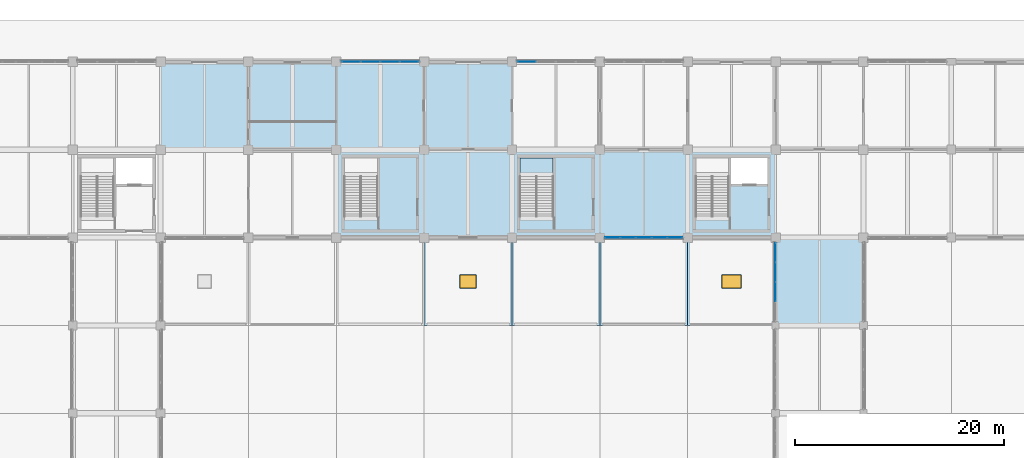
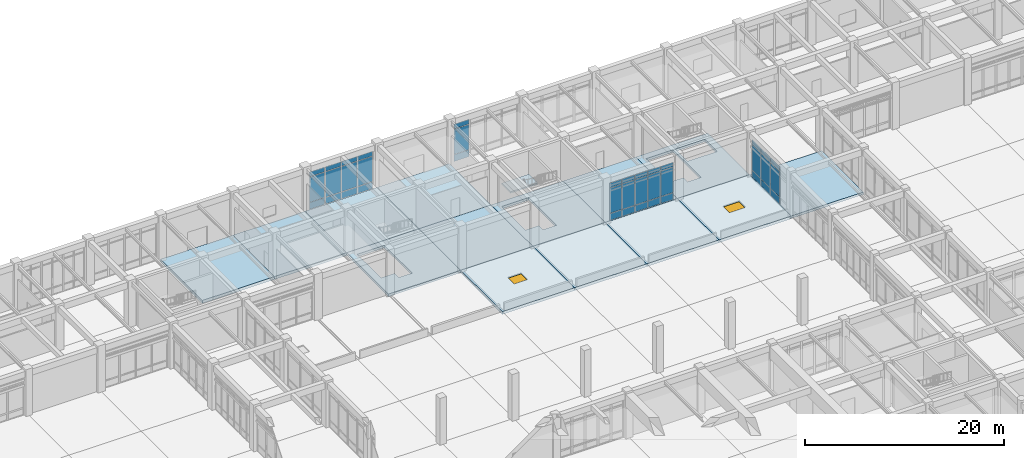
# One storey, part 58 of 91: 39 plates, 15 slabs, 2 windows, 2 openings, 5 elements without a shape of their own.
"""IFC4 building model written with IfcOpenShell, lengths in metres."""

from ifc_helpers import new_model, si_unit, direction, frame, origin, origin_2d, place, context, subcontext, project, spatial, polyline, rectangle, outline, extrude, material, layer, layer_set, type_object, element, fill, aggregate, save


model = new_model("IFC4")

# Units and contexts
model_context = context("Model", 3, precision=1e-05, world=origin(), true_north=direction((0.0, 1.0)))
body_context = subcontext(model_context, "Body", "Model", "MODEL_VIEW")
ifc_project = project(units=[si_unit("LENGTHUNIT", "METRE"), si_unit("AREAUNIT", "SQUARE_METRE"), si_unit("VOLUMEUNIT", "CUBIC_METRE"), si_unit("PLANEANGLEUNIT", "RADIAN"), si_unit("MASSUNIT", "GRAM", prefix="KILO")], contexts=[model_context])

# Site, building, storey
site_placement = place(None, origin())
site = spatial("IfcSite", under=ifc_project, at=site_placement, CompositionType="ELEMENT")
building_placement = place(site_placement, origin())
building = spatial("IfcBuilding", under=site, at=building_placement, Name="Porcellanite Civic Hall", CompositionType="ELEMENT")
storey_placement = place(building_placement, origin())
storey = spatial("IfcBuildingStorey", under=building, at=storey_placement, Name="L00", CompositionType="ELEMENT", Elevation=0.0)

# Curtain wall, plates
ifc_material_1 = material(Name="Anodised aluminium and solar laminated glass", Category="aluminium")
ifc_layer_1 = layer(ifc_material_1, 0.179931640625)
ifc_layer_set_1 = layer_set([ifc_layer_1], Name="Anodised aluminium and solar laminated glass")
curtain_wall_type_1 = type_object("IfcCurtainWallType", Name="CW-SYS03", PredefinedType="NOTDEFINED", material=ifc_layer_set_1)
curtain_wall_1_placement = place(storey_placement, origin())
curtain_wall_1 = element("IfcCurtainWall", 1, at=curtain_wall_1_placement, inside=storey, type_object=curtain_wall_type_1, Name="Curtain wall CW-030", PredefinedType="NOTDEFINED")
ifc_material_2 = material(Name="Cyclone laminated solar-control low-E glass", Category="glass")
ifc_layer_2 = layer(ifc_material_2, 0.02392578125)
ifc_layer_set_2 = layer_set([ifc_layer_2], Name="Cyclone laminated solar-control low-E glass")
plate_type_1 = type_object("IfcPlateType", Name="CWP-01", PredefinedType="CURTAIN_PANEL", material=ifc_layer_set_2)
plate_1_placement = place(storey_placement, frame((77.00830078125, 117.60009765625, 0.05517578125), z_axis=(0.0, 0.0, 1.0), x_axis=(1.0, 0.0, 0.0)))
plate_1 = element("IfcPlate", 2, at=plate_1_placement, type_object=plate_type_1, Name="CW-030 panel 1.1", PredefinedType="CURTAIN_PANEL", context=body_context, shape_type="SweptSolid", body=[
    extrude(rectangle(XDim=1.75439453125, YDim=0.02392578125, at=origin_2d()), origin(), (0.0, 0.0, 1.0), 0.8173828125),
])
plate_2_placement = place(storey_placement, frame((77.00830078125, 117.60009765625, 0.927734375), z_axis=(0.0, 0.0, 1.0), x_axis=(1.0, 0.0, 0.0)))
plate_2 = element("IfcPlate", 3, at=plate_2_placement, type_object=plate_type_1, Name="CW-030 panel 1.2", PredefinedType="CURTAIN_PANEL", context=body_context, shape_type="SweptSolid", body=[
    extrude(rectangle(XDim=1.75439453125, YDim=0.02392578125, at=origin_2d()), origin(), (0.0, 0.0, 1.0), 3.094970703125),
])
plate_3_placement = place(storey_placement, frame((77.00830078125, 117.60009765625, 4.07763671875), z_axis=(0.0, 0.0, 1.0), x_axis=(1.0, 0.0, 0.0)))
plate_3 = element("IfcPlate", 4, at=plate_3_placement, type_object=plate_type_1, Name="CW-030 panel 1.3", PredefinedType="CURTAIN_PANEL", context=body_context, shape_type="SweptSolid", body=[
    extrude(rectangle(XDim=1.75439453125, YDim=0.02392578125, at=origin_2d()), origin(), (0.0, 0.0, 1.0), 0.5673828125),
])
plate_4_placement = place(storey_placement, frame((78.86279296875, 117.60009765625, 0.05517578125), z_axis=(0.0, 0.0, 1.0), x_axis=(1.0, 0.0, 0.0)))
plate_4 = element("IfcPlate", 5, at=plate_4_placement, type_object=plate_type_1, Name="CW-030 panel 2.1", PredefinedType="CURTAIN_PANEL", context=body_context, shape_type="SweptSolid", body=[
    extrude(rectangle(XDim=1.79443359375, YDim=0.02392578125, at=origin_2d()), origin(), (0.0, 0.0, 1.0), 0.8173828125),
])
plate_5_placement = place(storey_placement, frame((78.86279296875, 117.60009765625, 0.927734375), z_axis=(0.0, 0.0, 1.0), x_axis=(1.0, 0.0, 0.0)))
plate_5 = element("IfcPlate", 6, at=plate_5_placement, type_object=plate_type_1, Name="CW-030 panel 2.2", PredefinedType="CURTAIN_PANEL", context=body_context, shape_type="SweptSolid", body=[
    extrude(rectangle(XDim=1.79443359375, YDim=0.02392578125, at=origin_2d()), origin(), (0.0, 0.0, 1.0), 3.094970703125),
])
plate_6_placement = place(storey_placement, frame((78.86279296875, 117.60009765625, 4.07763671875), z_axis=(0.0, 0.0, 1.0), x_axis=(1.0, 0.0, 0.0)))
plate_6 = element("IfcPlate", 7, at=plate_6_placement, type_object=plate_type_1, Name="CW-030 panel 2.3", PredefinedType="CURTAIN_PANEL", context=body_context, shape_type="SweptSolid", body=[
    extrude(rectangle(XDim=1.79443359375, YDim=0.02392578125, at=origin_2d()), origin(), (0.0, 0.0, 1.0), 0.5673828125),
])
plate_7_placement = place(storey_placement, frame((80.7373046875, 117.60009765625, 0.05517578125), z_axis=(0.0, 0.0, 1.0), x_axis=(1.0, 0.0, 0.0)))
plate_7 = element("IfcPlate", 8, at=plate_7_placement, type_object=plate_type_1, Name="CW-030 panel 3.1", PredefinedType="CURTAIN_PANEL", context=body_context, shape_type="SweptSolid", body=[
    extrude(rectangle(XDim=1.79443359375, YDim=0.02392578125, at=origin_2d()), origin(), (0.0, 0.0, 1.0), 0.8173828125),
])
plate_8_placement = place(storey_placement, frame((80.7373046875, 117.60009765625, 0.927734375), z_axis=(0.0, 0.0, 1.0), x_axis=(1.0, 0.0, 0.0)))
plate_8 = element("IfcPlate", 9, at=plate_8_placement, type_object=plate_type_1, Name="CW-030 panel 3.2", PredefinedType="CURTAIN_PANEL", context=body_context, shape_type="SweptSolid", body=[
    extrude(rectangle(XDim=1.79443359375, YDim=0.02392578125, at=origin_2d()), origin(), (0.0, 0.0, 1.0), 3.094970703125),
])
plate_9_placement = place(storey_placement, frame((80.7373046875, 117.60009765625, 4.07763671875), z_axis=(0.0, 0.0, 1.0), x_axis=(1.0, 0.0, 0.0)))
plate_9 = element("IfcPlate", 10, at=plate_9_placement, type_object=plate_type_1, Name="CW-030 panel 3.3", PredefinedType="CURTAIN_PANEL", context=body_context, shape_type="SweptSolid", body=[
    extrude(rectangle(XDim=1.79443359375, YDim=0.02392578125, at=origin_2d()), origin(), (0.0, 0.0, 1.0), 0.5673828125),
])
plate_10_placement = place(storey_placement, frame((82.591796875, 117.60009765625, 0.05517578125), z_axis=(0.0, 0.0, 1.0), x_axis=(1.0, 0.0, 0.0)))
plate_10 = element("IfcPlate", 11, at=plate_10_placement, type_object=plate_type_1, Name="CW-030 panel 4.1", PredefinedType="CURTAIN_PANEL", context=body_context, shape_type="SweptSolid", body=[
    extrude(rectangle(XDim=1.75439453125, YDim=0.02392578125, at=origin_2d()), origin(), (0.0, 0.0, 1.0), 0.8173828125),
])
plate_11_placement = place(storey_placement, frame((82.591796875, 117.60009765625, 0.927734375), z_axis=(0.0, 0.0, 1.0), x_axis=(1.0, 0.0, 0.0)))
plate_11 = element("IfcPlate", 12, at=plate_11_placement, type_object=plate_type_1, Name="CW-030 panel 4.2", PredefinedType="CURTAIN_PANEL", context=body_context, shape_type="SweptSolid", body=[
    extrude(rectangle(XDim=1.75439453125, YDim=0.02392578125, at=origin_2d()), origin(), (0.0, 0.0, 1.0), 3.094970703125),
])
plate_12_placement = place(storey_placement, frame((82.591796875, 117.60009765625, 4.07763671875), z_axis=(0.0, 0.0, 1.0), x_axis=(1.0, 0.0, 0.0)))
plate_12 = element("IfcPlate", 13, at=plate_12_placement, type_object=plate_type_1, Name="CW-030 panel 4.3", PredefinedType="CURTAIN_PANEL", context=body_context, shape_type="SweptSolid", body=[
    extrude(rectangle(XDim=1.75439453125, YDim=0.02392578125, at=origin_2d()), origin(), (0.0, 0.0, 1.0), 0.5673828125),
])
aggregate(curtain_wall_1, [plate_1, plate_2, plate_3, plate_4, plate_5, plate_6, plate_7, plate_8, plate_9, plate_10, plate_11, plate_12])

ifc_material_3 = material(Name="Anodised aluminium and solar laminated glass", Category="aluminium")
ifc_layer_3 = layer(ifc_material_3, 0.179931640625)
ifc_layer_set_3 = layer_set([ifc_layer_3], Name="Anodised aluminium and solar laminated glass")
curtain_wall_type_2 = type_object("IfcCurtainWallType", Name="CW-SYS04", PredefinedType="NOTDEFINED", material=ifc_layer_set_3)
curtain_wall_2_placement = place(storey_placement, origin())
curtain_wall_2 = element("IfcCurtainWall", 14, at=curtain_wall_2_placement, inside=storey, type_object=curtain_wall_type_2, Name="Curtain wall CW-031", PredefinedType="NOTDEFINED")
ifc_material_4 = material(Name="Cyclone laminated solar-control low-E glass", Category="glass")
ifc_layer_4 = layer(ifc_material_4, 0.02587890625)
ifc_layer_set_4 = layer_set([ifc_layer_4], Name="Cyclone laminated solar-control low-E glass")
plate_type_2 = type_object("IfcPlateType", Name="CWP-02", PredefinedType="CURTAIN_PANEL", material=ifc_layer_set_4)
plate_13_placement = place(storey_placement, frame((93.806884765625, 117.60009765625, 0.05517578125), z_axis=(0.0, 0.0, 1.0), x_axis=(1.0, 0.0, 0.0)))
plate_13 = element("IfcPlate", 15, at=plate_13_placement, type_object=plate_type_2, Name="CW-031 panel 1.1", PredefinedType="CURTAIN_PANEL", context=body_context, shape_type="SweptSolid", body=[
    extrude(rectangle(XDim=1.761962890625, YDim=0.02587890625, at=origin_2d()), origin(), (0.0, 0.0, 1.0), 0.8173828125),
])
plate_14_placement = place(storey_placement, frame((93.806884765625, 117.60009765625, 0.927734375), z_axis=(0.0, 0.0, 1.0), x_axis=(1.0, 0.0, 0.0)))
plate_14 = element("IfcPlate", 16, at=plate_14_placement, type_object=plate_type_2, Name="CW-031 panel 1.2", PredefinedType="CURTAIN_PANEL", context=body_context, shape_type="SweptSolid", body=[
    extrude(rectangle(XDim=1.761962890625, YDim=0.02587890625, at=origin_2d()), origin(), (0.0, 0.0, 1.0), 3.094970703125),
])
plate_15_placement = place(storey_placement, frame((93.806884765625, 117.60009765625, 4.07763671875), z_axis=(0.0, 0.0, 1.0), x_axis=(1.0, 0.0, 0.0)))
plate_15 = element("IfcPlate", 17, at=plate_15_placement, type_object=plate_type_2, Name="CW-031 panel 1.3", PredefinedType="CURTAIN_PANEL", context=body_context, shape_type="SweptSolid", body=[
    extrude(rectangle(XDim=1.761962890625, YDim=0.02587890625, at=origin_2d()), origin(), (0.0, 0.0, 1.0), 0.5673828125),
])
aggregate(curtain_wall_2, [plate_13, plate_14, plate_15])

curtain_wall_3_placement = place(storey_placement, origin())
curtain_wall_3 = element("IfcCurtainWall", 18, at=curtain_wall_3_placement, inside=storey, type_object=curtain_wall_type_2, Name="Curtain wall CW-043", PredefinedType="NOTDEFINED")
ifc_material_5 = material(Name="Cyclone laminated solar-control low-E glass", Category="glass")
ifc_layer_5 = layer(ifc_material_5, 0.030029296875)
ifc_layer_set_5 = layer_set([ifc_layer_5], Name="Cyclone laminated solar-control low-E glass")
plate_type_3 = type_object("IfcPlateType", Name="CWP-04", PredefinedType="CURTAIN_PANEL", material=ifc_layer_set_5)
plate_16_placement = place(storey_placement, frame((117.60009765625, 95.600341796875, 0.05517578125), z_axis=(0.0, 0.0, 1.0), x_axis=(0.0, 1.0, 0.0)))
plate_16 = element("IfcPlate", 19, at=plate_16_placement, type_object=plate_type_3, Name="CW-043 panel 2.1", PredefinedType="CURTAIN_PANEL", context=body_context, shape_type="SweptSolid", body=[
    extrude(rectangle(XDim=1.824462890625, YDim=0.030029296875, at=origin_2d()), origin(), (0.0, 0.0, 1.0), 0.8173828125),
])
plate_17_placement = place(storey_placement, frame((117.60009765625, 95.600341796875, 0.927734375), z_axis=(0.0, 0.0, 1.0), x_axis=(0.0, 1.0, 0.0)))
plate_17 = element("IfcPlate", 20, at=plate_17_placement, type_object=plate_type_3, Name="CW-043 panel 2.2", PredefinedType="CURTAIN_PANEL", context=body_context, shape_type="SweptSolid", body=[
    extrude(rectangle(XDim=1.824462890625, YDim=0.030029296875, at=origin_2d()), origin(), (0.0, 0.0, 1.0), 3.094970703125),
])
plate_18_placement = place(storey_placement, frame((117.60009765625, 95.600341796875, 4.07763671875), z_axis=(0.0, 0.0, 1.0), x_axis=(0.0, 1.0, 0.0)))
plate_18 = element("IfcPlate", 21, at=plate_18_placement, type_object=plate_type_3, Name="CW-043 panel 2.3", PredefinedType="CURTAIN_PANEL", context=body_context, shape_type="SweptSolid", body=[
    extrude(rectangle(XDim=1.824462890625, YDim=0.030029296875, at=origin_2d()), origin(), (0.0, 0.0, 1.0), 0.5673828125),
])
plate_19_placement = place(storey_placement, frame((117.60009765625, 97.499755859375, 0.05517578125), z_axis=(0.0, 0.0, 1.0), x_axis=(0.0, 1.0, 0.0)))
plate_19 = element("IfcPlate", 22, at=plate_19_placement, type_object=plate_type_3, Name="CW-043 panel 3.1", PredefinedType="CURTAIN_PANEL", context=body_context, shape_type="SweptSolid", body=[
    extrude(rectangle(XDim=1.824462890625, YDim=0.030029296875, at=origin_2d()), origin(), (0.0, 0.0, 1.0), 0.8173828125),
])
plate_20_placement = place(storey_placement, frame((117.60009765625, 97.499755859375, 0.927734375), z_axis=(0.0, 0.0, 1.0), x_axis=(0.0, 1.0, 0.0)))
plate_20 = element("IfcPlate", 23, at=plate_20_placement, type_object=plate_type_3, Name="CW-043 panel 3.2", PredefinedType="CURTAIN_PANEL", context=body_context, shape_type="SweptSolid", body=[
    extrude(rectangle(XDim=1.824462890625, YDim=0.030029296875, at=origin_2d()), origin(), (0.0, 0.0, 1.0), 3.094970703125),
])
plate_21_placement = place(storey_placement, frame((117.60009765625, 97.499755859375, 4.07763671875), z_axis=(0.0, 0.0, 1.0), x_axis=(0.0, 1.0, 0.0)))
plate_21 = element("IfcPlate", 24, at=plate_21_placement, type_object=plate_type_3, Name="CW-043 panel 3.3", PredefinedType="CURTAIN_PANEL", context=body_context, shape_type="SweptSolid", body=[
    extrude(rectangle(XDim=1.824462890625, YDim=0.030029296875, at=origin_2d()), origin(), (0.0, 0.0, 1.0), 0.5673828125),
])
plate_22_placement = place(storey_placement, frame((117.60009765625, 99.380615234375, 0.05517578125), z_axis=(0.0, 0.0, 1.0), x_axis=(0.0, 1.0, 0.0)))
plate_22 = element("IfcPlate", 25, at=plate_22_placement, type_object=plate_type_3, Name="CW-043 panel 4.1", PredefinedType="CURTAIN_PANEL", context=body_context, shape_type="SweptSolid", body=[
    extrude(rectangle(XDim=1.787109375, YDim=0.030029296875, at=origin_2d()), origin(), (0.0, 0.0, 1.0), 0.8173828125),
])
plate_23_placement = place(storey_placement, frame((117.60009765625, 99.380615234375, 0.927734375), z_axis=(0.0, 0.0, 1.0), x_axis=(0.0, 1.0, 0.0)))
plate_23 = element("IfcPlate", 26, at=plate_23_placement, type_object=plate_type_3, Name="CW-043 panel 4.2", PredefinedType="CURTAIN_PANEL", context=body_context, shape_type="SweptSolid", body=[
    extrude(rectangle(XDim=1.787109375, YDim=0.030029296875, at=origin_2d()), origin(), (0.0, 0.0, 1.0), 3.094970703125),
])
plate_24_placement = place(storey_placement, frame((117.60009765625, 99.380615234375, 4.07763671875), z_axis=(0.0, 0.0, 1.0), x_axis=(0.0, 1.0, 0.0)))
plate_24 = element("IfcPlate", 27, at=plate_24_placement, type_object=plate_type_3, Name="CW-043 panel 4.3", PredefinedType="CURTAIN_PANEL", context=body_context, shape_type="SweptSolid", body=[
    extrude(rectangle(XDim=1.787109375, YDim=0.030029296875, at=origin_2d()), origin(), (0.0, 0.0, 1.0), 0.5673828125),
])
aggregate(curtain_wall_3, [plate_16, plate_17, plate_18, plate_19, plate_20, plate_21, plate_22, plate_23, plate_24])

ifc_material_6 = material(Name="Anodised aluminium and solar laminated glass", Category="aluminium")
ifc_layer_6 = layer(ifc_material_6, 0.179931640625)
ifc_layer_set_6 = layer_set([ifc_layer_6], Name="Anodised aluminium and solar laminated glass")
curtain_wall_type_3 = type_object("IfcCurtainWallType", Name="CW-SYS01", PredefinedType="NOTDEFINED", material=ifc_layer_set_6)
curtain_wall_4_placement = place(storey_placement, origin())
curtain_wall_4 = element("IfcCurtainWall", 28, at=curtain_wall_4_placement, inside=storey, type_object=curtain_wall_type_3, Name="Curtain wall CW-035", PredefinedType="NOTDEFINED")
ifc_material_7 = material(Name="Cyclone laminated solar-control low-E glass", Category="glass")
ifc_layer_7 = layer(ifc_material_7, 0.033935546875)
ifc_layer_set_7 = layer_set([ifc_layer_7], Name="Cyclone laminated solar-control low-E glass")
plate_type_4 = type_object("IfcPlateType", Name="CWP-06", PredefinedType="CURTAIN_PANEL", material=ifc_layer_set_7)
plate_25_placement = place(storey_placement, frame((107.981689453125, 100.800048828125, 0.06005859375), z_axis=(0.0, 0.0, 1.0), x_axis=(-1.0, 0.0, 0.0)))
plate_25 = element("IfcPlate", 29, at=plate_25_placement, type_object=plate_type_4, Name="CW-035 panel 1.1", PredefinedType="CURTAIN_PANEL", context=body_context, shape_type="SweptSolid", body=[
    extrude(rectangle(XDim=1.39453125, YDim=0.033935546875, at=origin_2d()), origin(), (0.0, 0.0, 1.0), 0.81005859375),
])
plate_26_placement = place(storey_placement, frame((107.981689453125, 100.800048828125, 0.93017578125), z_axis=(0.0, 0.0, 1.0), x_axis=(-1.0, 0.0, 0.0)))
plate_26 = element("IfcPlate", 30, at=plate_26_placement, type_object=plate_type_4, Name="CW-035 panel 1.2", PredefinedType="CURTAIN_PANEL", context=body_context, shape_type="SweptSolid", body=[
    extrude(rectangle(XDim=1.39453125, YDim=0.033935546875, at=origin_2d()), origin(), (0.0, 0.0, 1.0), 3.090087890625),
])
plate_27_placement = place(storey_placement, frame((107.981689453125, 100.800048828125, 4.080078125), z_axis=(0.0, 0.0, 1.0), x_axis=(-1.0, 0.0, 0.0)))
plate_27 = element("IfcPlate", 31, at=plate_27_placement, type_object=plate_type_4, Name="CW-035 panel 1.3", PredefinedType="CURTAIN_PANEL", context=body_context, shape_type="SweptSolid", body=[
    extrude(rectangle(XDim=1.39453125, YDim=0.033935546875, at=origin_2d()), origin(), (0.0, 0.0, 1.0), 0.56005859375),
])
plate_28_placement = place(storey_placement, frame((106.49951171875, 100.800048828125, 0.06005859375), z_axis=(0.0, 0.0, 1.0), x_axis=(-1.0, 0.0, 0.0)))
plate_28 = element("IfcPlate", 32, at=plate_28_placement, type_object=plate_type_4, Name="CW-035 panel 2.1", PredefinedType="CURTAIN_PANEL", context=body_context, shape_type="SweptSolid", body=[
    extrude(rectangle(XDim=1.4296875, YDim=0.033935546875, at=origin_2d()), origin(), (0.0, 0.0, 1.0), 0.81005859375),
])
plate_29_placement = place(storey_placement, frame((106.49951171875, 100.800048828125, 0.93017578125), z_axis=(0.0, 0.0, 1.0), x_axis=(-1.0, 0.0, 0.0)))
plate_29 = element("IfcPlate", 33, at=plate_29_placement, type_object=plate_type_4, Name="CW-035 panel 2.2", PredefinedType="CURTAIN_PANEL", context=body_context, shape_type="SweptSolid", body=[
    extrude(rectangle(XDim=1.4296875, YDim=0.033935546875, at=origin_2d()), origin(), (0.0, 0.0, 1.0), 3.090087890625),
])
plate_30_placement = place(storey_placement, frame((106.49951171875, 100.800048828125, 4.080078125), z_axis=(0.0, 0.0, 1.0), x_axis=(-1.0, 0.0, 0.0)))
plate_30 = element("IfcPlate", 34, at=plate_30_placement, type_object=plate_type_4, Name="CW-035 panel 2.3", PredefinedType="CURTAIN_PANEL", context=body_context, shape_type="SweptSolid", body=[
    extrude(rectangle(XDim=1.4296875, YDim=0.033935546875, at=origin_2d()), origin(), (0.0, 0.0, 1.0), 0.56005859375),
])
plate_31_placement = place(storey_placement, frame((105.0, 100.800048828125, 0.06005859375), z_axis=(0.0, 0.0, 1.0), x_axis=(-1.0, 0.0, 0.0)))
plate_31 = element("IfcPlate", 35, at=plate_31_placement, type_object=plate_type_4, Name="CW-035 panel 3.1", PredefinedType="CURTAIN_PANEL", context=body_context, shape_type="SweptSolid", body=[
    extrude(rectangle(XDim=1.4296875, YDim=0.033935546875, at=origin_2d()), origin(), (0.0, 0.0, 1.0), 0.81005859375),
])
plate_32_placement = place(storey_placement, frame((105.0, 100.800048828125, 0.93017578125), z_axis=(0.0, 0.0, 1.0), x_axis=(-1.0, 0.0, 0.0)))
plate_32 = element("IfcPlate", 36, at=plate_32_placement, type_object=plate_type_4, Name="CW-035 panel 3.2", PredefinedType="CURTAIN_PANEL", context=body_context, shape_type="SweptSolid", body=[
    extrude(rectangle(XDim=1.4296875, YDim=0.033935546875, at=origin_2d()), origin(), (0.0, 0.0, 1.0), 3.090087890625),
])
plate_33_placement = place(storey_placement, frame((105.0, 100.800048828125, 4.080078125), z_axis=(0.0, 0.0, 1.0), x_axis=(-1.0, 0.0, 0.0)))
plate_33 = element("IfcPlate", 37, at=plate_33_placement, type_object=plate_type_4, Name="CW-035 panel 3.3", PredefinedType="CURTAIN_PANEL", context=body_context, shape_type="SweptSolid", body=[
    extrude(rectangle(XDim=1.4296875, YDim=0.033935546875, at=origin_2d()), origin(), (0.0, 0.0, 1.0), 0.56005859375),
])
plate_34_placement = place(storey_placement, frame((103.50048828125, 100.800048828125, 0.06005859375), z_axis=(0.0, 0.0, 1.0), x_axis=(-1.0, 0.0, 0.0)))
plate_34 = element("IfcPlate", 38, at=plate_34_placement, type_object=plate_type_4, Name="CW-035 panel 4.1", PredefinedType="CURTAIN_PANEL", context=body_context, shape_type="SweptSolid", body=[
    extrude(rectangle(XDim=1.4296875, YDim=0.033935546875, at=origin_2d()), origin(), (0.0, 0.0, 1.0), 0.81005859375),
])
plate_35_placement = place(storey_placement, frame((103.50048828125, 100.800048828125, 0.93017578125), z_axis=(0.0, 0.0, 1.0), x_axis=(-1.0, 0.0, 0.0)))
plate_35 = element("IfcPlate", 39, at=plate_35_placement, type_object=plate_type_4, Name="CW-035 panel 4.2", PredefinedType="CURTAIN_PANEL", context=body_context, shape_type="SweptSolid", body=[
    extrude(rectangle(XDim=1.4296875, YDim=0.033935546875, at=origin_2d()), origin(), (0.0, 0.0, 1.0), 3.090087890625),
])
plate_36_placement = place(storey_placement, frame((103.50048828125, 100.800048828125, 4.080078125), z_axis=(0.0, 0.0, 1.0), x_axis=(-1.0, 0.0, 0.0)))
plate_36 = element("IfcPlate", 40, at=plate_36_placement, type_object=plate_type_4, Name="CW-035 panel 4.3", PredefinedType="CURTAIN_PANEL", context=body_context, shape_type="SweptSolid", body=[
    extrude(rectangle(XDim=1.4296875, YDim=0.033935546875, at=origin_2d()), origin(), (0.0, 0.0, 1.0), 0.56005859375),
])
plate_37_placement = place(storey_placement, frame((102.018310546875, 100.800048828125, 0.06005859375), z_axis=(0.0, 0.0, 1.0), x_axis=(-1.0, 0.0, 0.0)))
plate_37 = element("IfcPlate", 41, at=plate_37_placement, type_object=plate_type_4, Name="CW-035 panel 5.1", PredefinedType="CURTAIN_PANEL", context=body_context, shape_type="SweptSolid", body=[
    extrude(rectangle(XDim=1.39453125, YDim=0.033935546875, at=origin_2d()), origin(), (0.0, 0.0, 1.0), 0.81005859375),
])
plate_38_placement = place(storey_placement, frame((102.018310546875, 100.800048828125, 0.93017578125), z_axis=(0.0, 0.0, 1.0), x_axis=(-1.0, 0.0, 0.0)))
plate_38 = element("IfcPlate", 42, at=plate_38_placement, type_object=plate_type_4, Name="CW-035 panel 5.2", PredefinedType="CURTAIN_PANEL", context=body_context, shape_type="SweptSolid", body=[
    extrude(rectangle(XDim=1.39453125, YDim=0.033935546875, at=origin_2d()), origin(), (0.0, 0.0, 1.0), 3.090087890625),
])
plate_39_placement = place(storey_placement, frame((102.018310546875, 100.800048828125, 4.080078125), z_axis=(0.0, 0.0, 1.0), x_axis=(-1.0, 0.0, 0.0)))
plate_39 = element("IfcPlate", 43, at=plate_39_placement, type_object=plate_type_4, Name="CW-035 panel 5.3", PredefinedType="CURTAIN_PANEL", context=body_context, shape_type="SweptSolid", body=[
    extrude(rectangle(XDim=1.39453125, YDim=0.033935546875, at=origin_2d()), origin(), (0.0, 0.0, 1.0), 0.56005859375),
])
aggregate(curtain_wall_4, [plate_25, plate_26, plate_27, plate_28, plate_29, plate_30, plate_31, plate_32, plate_33, plate_34, plate_35, plate_36, plate_37, plate_38, plate_39])

# Stair, slab
ifc_material_8 = material(Name="Concrete N40 (40 MPa)", Category="concrete")
stair_type = type_object("IfcStairType", Name="STR-HT32", PredefinedType="HALF_TURN_STAIR", material=ifc_material_8)
stair_placement = place(storey_placement, origin())
stair = element("IfcStair", 44, at=stair_placement, inside=storey, type_object=stair_type, Name="Fire stair ST-10 L00", PredefinedType="HALF_TURN_STAIR")
ifc_material_9 = material(Name="Concrete N40 (40 MPa)", Category="concrete")
ifc_layer_8 = layer(ifc_material_9, 0.179931640625)
ifc_layer_set_8 = layer_set([ifc_layer_8], Name="Concrete N40 (40 MPa)")
slab_type_1 = type_object("IfcSlabType", Name="LND-18", PredefinedType="LANDING", material=ifc_layer_set_8)
slab_1_placement = place(storey_placement, frame((0.0, 0.0, 2.699951171875)))
slab_1 = element("IfcSlab", 45, at=slab_1_placement, type_object=slab_type_1, Name="ST-10 landing 1", PredefinedType="LANDING", context=body_context, shape_type="SweptSolid", body=[
    extrude(outline(polyline([(93.180419921875, 106.625), (96.319580078125, 106.625), (96.319580078125, 108.41943359375), (93.180419921875, 108.41943359375), (93.180419921875, 106.625)])), origin(), (0.0, 0.0, 1.0), 0.179931640625),
])
aggregate(stair, [slab_1])

# Slabs
ifc_material_10 = material(Name="Concrete N40 (40 MPa)", Category="concrete")
ifc_layer_9 = layer(ifc_material_10, 0.35009765625)
ifc_layer_set_9 = layer_set([ifc_layer_9], Name="Concrete N40 (40 MPa)")
slab_type_2 = type_object("IfcSlabType", Name="SL-BASE350", PredefinedType="BASESLAB", material=ifc_layer_set_9)
slab_2_placement = place(storey_placement, frame((0.0, 0.0, -0.35009765625)))
element("IfcSlab", 46, at=slab_2_placement, inside=storey, type_object=slab_type_2, Name="Slab L00 bay 8-14", PredefinedType="BASESLAB", context=body_context, shape_type="SweptSolid", body=[
    extrude(outline(polyline([(58.800048828125, 109.199951171875), (67.199951171875, 109.199951171875), (67.199951171875, 117.60009765625), (58.800048828125, 117.60009765625), (58.800048828125, 109.199951171875)])), origin(), (0.0, 0.0, 1.0), 0.35009765625),
])
slab_3_placement = place(storey_placement, frame((0.0, 0.0, -0.35009765625)))
element("IfcSlab", 47, at=slab_3_placement, inside=storey, type_object=slab_type_2, Name="Slab L00 bay 9-14", PredefinedType="BASESLAB", context=body_context, shape_type="SweptSolid", body=[
    extrude(outline(polyline([(67.199951171875, 109.199951171875), (75.60009765625, 109.199951171875), (75.60009765625, 117.60009765625), (67.199951171875, 117.60009765625), (67.199951171875, 109.199951171875)])), origin(), (0.0, 0.0, 1.0), 0.35009765625),
])
slab_4_placement = place(storey_placement, frame((0.0, 0.0, -0.35009765625)))
element("IfcSlab", 48, at=slab_4_placement, inside=storey, type_object=slab_type_2, Name="Slab L00 bay 10-14", PredefinedType="BASESLAB", context=body_context, shape_type="SweptSolid", body=[
    extrude(outline(polyline([(75.60009765625, 109.199951171875), (84.0, 109.199951171875), (84.0, 117.60009765625), (75.60009765625, 117.60009765625), (75.60009765625, 109.199951171875)])), origin(), (0.0, 0.0, 1.0), 0.35009765625),
])
slab_5_placement = place(storey_placement, frame((0.0, 0.0, -0.35009765625)))
element("IfcSlab", 49, at=slab_5_placement, inside=storey, type_object=slab_type_2, Name="Slab L00 bay 11-14", PredefinedType="BASESLAB", context=body_context, shape_type="SweptSolid", body=[
    extrude(outline(polyline([(84.0, 109.199951171875), (92.39990234375, 109.199951171875), (92.39990234375, 117.60009765625), (84.0, 117.60009765625), (84.0, 109.199951171875)])), origin(), (0.0, 0.0, 1.0), 0.35009765625),
])

# Slab, opening, window
ifc_material_11 = material(Name="Concrete N40 (40 MPa)", Category="concrete")
ifc_layer_10 = layer(ifc_material_11, 0.35009765625)
ifc_layer_set_10 = layer_set([ifc_layer_10], Name="Concrete N40 (40 MPa)")
slab_type_3 = type_object("IfcSlabType", Name="SL-RF350", PredefinedType="ROOF", material=ifc_layer_set_10)
slab_6_placement = place(storey_placement, frame((0.0, 0.0, -0.35009765625)))
slab_6 = element("IfcSlab", 50, at=slab_6_placement, inside=storey, type_object=slab_type_3, Name="Roof slab L00 11-12", PredefinedType="ROOF", context=body_context, shape_type="SweptSolid", body=[
    extrude(outline(polyline([(84.0, 92.39990234375), (92.39990234375, 92.39990234375), (92.39990234375, 100.800048828125), (84.0, 100.800048828125), (84.0, 92.39990234375)])), origin(), (0.0, 0.0, 1.0), 0.35009765625),
])
opening_1_placement = place(slab_6_placement, frame((88.199951171875, 96.60009765625, 0.0)))
opening_1 = element("IfcOpeningElement", 51, at=opening_1_placement, cuts=slab_6, Name="Opening SK2", PredefinedType="OPENING", context=body_context, shape_type="SweptSolid", body=[
    extrude(rectangle(XDim=1.5, YDim=1.199951171875, at=origin_2d()), origin(), (0.0, 0.0, 1.0), 0.35009765625),
])
ifc_material_12 = material(Name="Cyclone laminated low-E glazing in anodised aluminium frame", Category="aluminium")
window_type_1 = type_object("IfcWindowType", Name="SK-02", PartitioningType="SINGLE_PANEL", PredefinedType="SKYLIGHT", material=ifc_material_12)
window_1_placement = place(opening_1_placement, frame((0.0, 0.0, 0.300048828125)))
window_1 = element("IfcWindow", 52, at=window_1_placement, inside=storey, type_object=window_type_1, Name="Roof skylight SK2 L00 11-12", OverallHeight=1.199951171875, OverallWidth=1.5, PartitioningType="SINGLE_PANEL", PredefinedType="SKYLIGHT", context=body_context, shape_type="SweptSolid", body=[
    extrude(rectangle(XDim=1.5, YDim=1.199951171875, at=origin_2d()), origin(), (0.0, 0.0, 1.0), 0.050048828125),
])
fill(opening_1, window_1)

# Slabs
slab_7_placement = place(storey_placement, frame((0.0, 0.0, -0.35009765625)))
element("IfcSlab", 53, at=slab_7_placement, inside=storey, type_object=slab_type_3, Name="Roof slab L00 12-12", PredefinedType="ROOF", context=body_context, shape_type="SweptSolid", body=[
    extrude(outline(polyline([(92.39990234375, 92.39990234375), (100.800048828125, 92.39990234375), (100.800048828125, 100.800048828125), (92.39990234375, 100.800048828125), (92.39990234375, 92.39990234375)])), origin(), (0.0, 0.0, 1.0), 0.35009765625),
])
slab_8_placement = place(storey_placement, frame((0.0, 0.0, -0.35009765625)))
element("IfcSlab", 54, at=slab_8_placement, inside=storey, type_object=slab_type_3, Name="Roof slab L00 13-12", PredefinedType="ROOF", context=body_context, shape_type="SweptSolid", body=[
    extrude(outline(polyline([(100.800048828125, 92.39990234375), (109.199951171875, 92.39990234375), (109.199951171875, 100.800048828125), (100.800048828125, 100.800048828125), (100.800048828125, 92.39990234375)])), origin(), (0.0, 0.0, 1.0), 0.35009765625),
])

# Slab, opening, window
slab_9_placement = place(storey_placement, frame((0.0, 0.0, -0.35009765625)))
slab_9 = element("IfcSlab", 55, at=slab_9_placement, inside=storey, type_object=slab_type_3, Name="Roof slab L00 14-12", PredefinedType="ROOF", context=body_context, shape_type="SweptSolid", body=[
    extrude(outline(polyline([(109.199951171875, 92.39990234375), (117.60009765625, 92.39990234375), (117.60009765625, 100.800048828125), (109.199951171875, 100.800048828125), (109.199951171875, 92.39990234375)])), origin(), (0.0, 0.0, 1.0), 0.35009765625),
])
opening_2_placement = place(slab_9_placement, frame((113.39990234375, 96.60009765625, 0.0)))
opening_2 = element("IfcOpeningElement", 56, at=opening_2_placement, cuts=slab_9, Name="Opening SK3", PredefinedType="OPENING", context=body_context, shape_type="SweptSolid", body=[
    extrude(rectangle(XDim=1.800048828125, YDim=1.199951171875, at=origin_2d()), origin(), (0.0, 0.0, 1.0), 0.35009765625),
])
ifc_material_13 = material(Name="Cyclone laminated low-E glazing in anodised aluminium frame", Category="aluminium")
window_type_2 = type_object("IfcWindowType", Name="SK-03", PartitioningType="DOUBLE_PANEL_VERTICAL", PredefinedType="SKYLIGHT", material=ifc_material_13)
window_2_placement = place(opening_2_placement, frame((0.0, 0.0, 0.300048828125)))
window_2 = element("IfcWindow", 57, at=window_2_placement, inside=storey, type_object=window_type_2, Name="Roof skylight SK3 L00 14-12", OverallHeight=1.199951171875, OverallWidth=1.800048828125, PartitioningType="SINGLE_PANEL", PredefinedType="SKYLIGHT", context=body_context, shape_type="SweptSolid", body=[
    extrude(rectangle(XDim=1.800048828125, YDim=1.199951171875, at=origin_2d()), origin(), (0.0, 0.0, 1.0), 0.050048828125),
])
fill(opening_2, window_2)

# Slabs
ifc_material_14 = material(Name="Concrete N40 (40 MPa)", Category="concrete")
ifc_layer_11 = layer(ifc_material_14, 0.300048828125)
ifc_layer_set_11 = layer_set([ifc_layer_11], Name="Concrete N40 (40 MPa)")
slab_type_4 = type_object("IfcSlabType", Name="SL-TR300", PredefinedType="FLOOR", material=ifc_layer_set_11)
slab_10_placement = place(storey_placement, frame((0.0, 0.0, -0.300048828125)))
element("IfcSlab", 58, at=slab_10_placement, inside=storey, type_object=slab_type_4, Name="Slab L00 bay 10-13", PredefinedType="FLOOR", context=body_context, shape_type="SweptSolid", body=[
    extrude(outline(polyline([(75.60009765625, 100.800048828125), (84.0, 100.800048828125), (84.0, 109.199951171875), (75.60009765625, 109.199951171875), (75.60009765625, 100.800048828125)]), holes=[polyline([(76.3798828125, 103.64990234375), (77.9599609375, 103.64990234375), (77.9599609375, 102.800048828125), (79.52001953125, 102.800048828125), (79.52001953125, 108.419921875), (76.3798828125, 108.419921875), (76.3798828125, 103.64990234375)])]), origin(), (0.0, 0.0, 1.0), 0.300048828125),
])
slab_11_placement = place(storey_placement, frame((0.0, 0.0, -0.300048828125)))
element("IfcSlab", 59, at=slab_11_placement, inside=storey, type_object=slab_type_4, Name="Slab L00 bay 11-13", PredefinedType="FLOOR", context=body_context, shape_type="SweptSolid", body=[
    extrude(outline(polyline([(84.0, 100.800048828125), (92.39990234375, 100.800048828125), (92.39990234375, 109.199951171875), (84.0, 109.199951171875), (84.0, 100.800048828125)])), origin(), (0.0, 0.0, 1.0), 0.300048828125),
])
slab_12_placement = place(storey_placement, frame((0.0, 0.0, -0.300048828125)))
element("IfcSlab", 60, at=slab_12_placement, inside=storey, type_object=slab_type_4, Name="Slab L00 bay 12-13", PredefinedType="FLOOR", context=body_context, shape_type="SweptSolid", body=[
    extrude(outline(polyline([(92.39990234375, 100.800048828125), (100.800048828125, 100.800048828125), (100.800048828125, 109.199951171875), (92.39990234375, 109.199951171875), (92.39990234375, 100.800048828125)]), holes=[polyline([(93.179931640625, 103.64990234375), (94.760009765625, 103.64990234375), (94.760009765625, 102.800048828125), (96.320068359375, 102.800048828125), (96.320068359375, 108.419921875), (93.179931640625, 108.419921875), (93.179931640625, 103.64990234375)])]), origin(), (0.0, 0.0, 1.0), 0.300048828125),
])
slab_13_placement = place(storey_placement, frame((0.0, 0.0, -0.300048828125)))
element("IfcSlab", 61, at=slab_13_placement, inside=storey, type_object=slab_type_4, Name="Slab L00 bay 13-13", PredefinedType="FLOOR", context=body_context, shape_type="SweptSolid", body=[
    extrude(outline(polyline([(100.800048828125, 100.800048828125), (109.199951171875, 100.800048828125), (109.199951171875, 109.199951171875), (100.800048828125, 109.199951171875), (100.800048828125, 100.800048828125)])), origin(), (0.0, 0.0, 1.0), 0.300048828125),
])
slab_14_placement = place(storey_placement, frame((0.0, 0.0, -0.300048828125)))
element("IfcSlab", 62, at=slab_14_placement, inside=storey, type_object=slab_type_4, Name="Slab L00 bay 14-13", PredefinedType="FLOOR", context=body_context, shape_type="SweptSolid", body=[
    extrude(outline(polyline([(109.199951171875, 100.800048828125), (117.60009765625, 100.800048828125), (117.60009765625, 109.199951171875), (109.199951171875, 109.199951171875), (109.199951171875, 100.800048828125)]), holes=[polyline([(109.97998046875, 103.64990234375), (111.56005859375, 103.64990234375), (111.56005859375, 102.800048828125), (113.1201171875, 102.800048828125), (113.1201171875, 108.419921875), (109.97998046875, 108.419921875), (109.97998046875, 103.64990234375)]), polyline([(113.360107421875, 105.93994140625), (116.820068359375, 105.93994140625), (116.820068359375, 108.419921875), (113.360107421875, 108.419921875), (113.360107421875, 105.93994140625)])]), origin(), (0.0, 0.0, 1.0), 0.300048828125),
])
slab_15_placement = place(storey_placement, frame((0.0, 0.0, -0.300048828125)))
element("IfcSlab", 63, at=slab_15_placement, inside=storey, type_object=slab_type_4, Name="Slab L00 bay 15-12", PredefinedType="FLOOR", context=body_context, shape_type="SweptSolid", body=[
    extrude(outline(polyline([(117.60009765625, 92.39990234375), (126.0, 92.39990234375), (126.0, 100.800048828125), (117.60009765625, 100.800048828125), (117.60009765625, 92.39990234375)])), origin(), (0.0, 0.0, 1.0), 0.300048828125),
])

save(model, "model.ifc")
